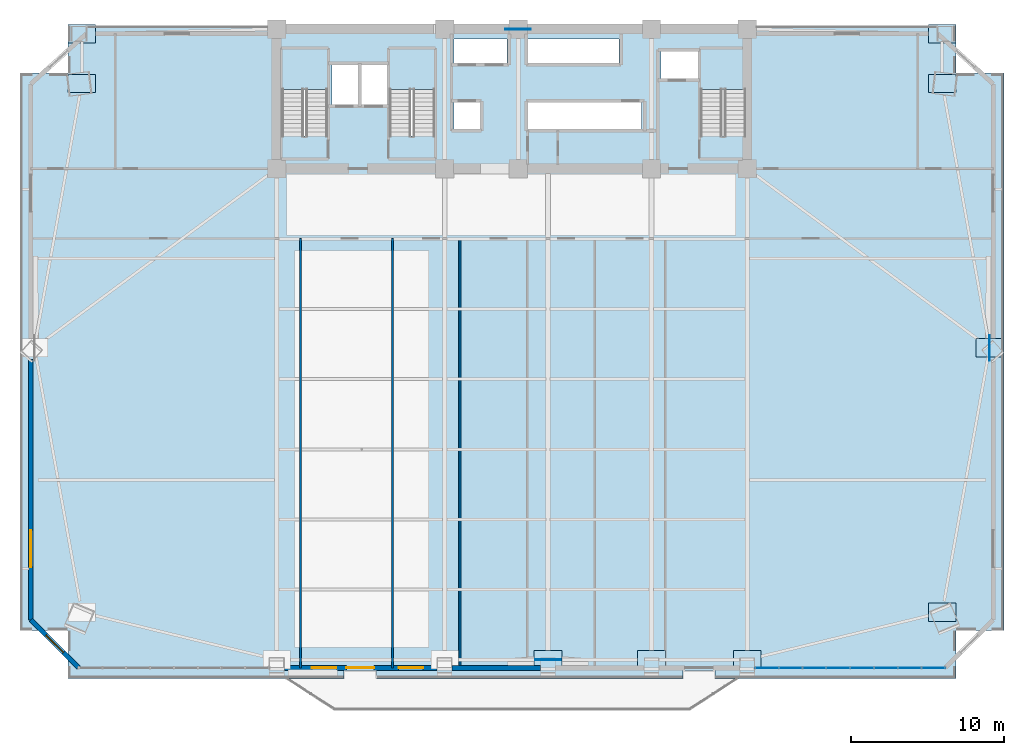
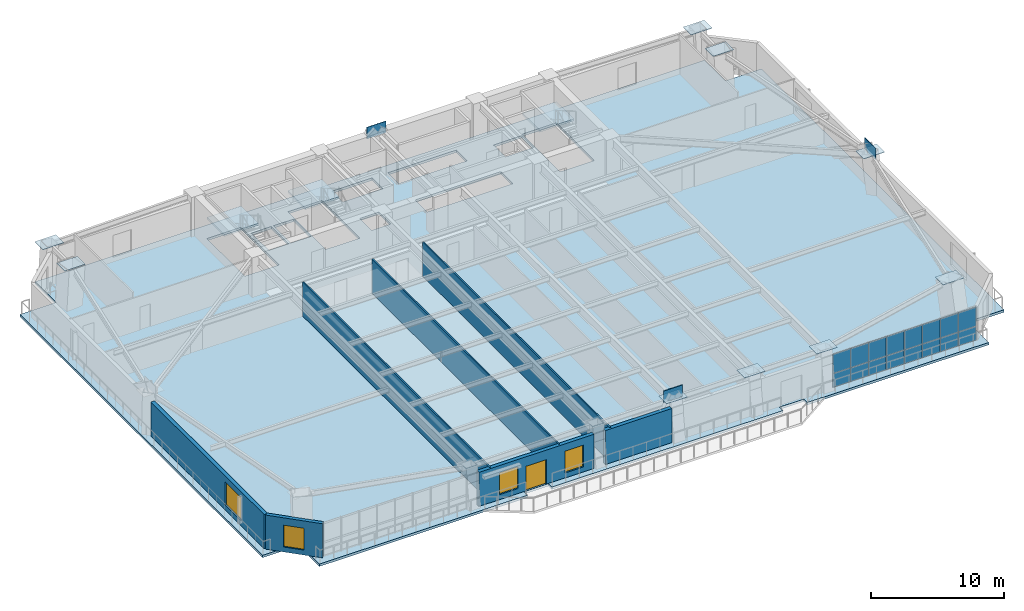
# One storey, part 9 of 18: 28 plates, 7 walls, 4 slabs, 4 windows, 1 door, 5 openings, 4 elements without a shape of their own.
"""IFC4 building model written with IfcOpenShell, lengths in metres."""

from ifc_helpers import new_model, si_unit, direction, frame, frame_2d, origin, origin_2d, place, context, subcontext, project, spatial, polyline, rectangle, outline, extrude, source, transform, mapped, material, layer, layer_set, type_object, element, fill, aggregate, save


model = new_model("IFC4")

# Units and contexts
model_context = context("Model", 3, precision=1e-05, world=origin(), true_north=direction((0.0, 1.0)))
body_context = subcontext(model_context, "Body", "Model", "MODEL_VIEW")
ifc_project = project(units=[si_unit("LENGTHUNIT", "METRE"), si_unit("AREAUNIT", "SQUARE_METRE"), si_unit("VOLUMEUNIT", "CUBIC_METRE"), si_unit("PLANEANGLEUNIT", "RADIAN"), si_unit("MASSUNIT", "GRAM", prefix="KILO")], contexts=[model_context])

# Site, building, storey
site_placement = place(None, origin())
site = spatial("IfcSite", under=ifc_project, at=site_placement, CompositionType="ELEMENT")
building_placement = place(site_placement, origin())
building = spatial("IfcBuilding", under=site, at=building_placement, Name="Giltprow Tower", CompositionType="ELEMENT")
storey_placement = place(building_placement, frame((0.0, 0.0, 68.89990234375)))
storey = spatial("IfcBuildingStorey", under=building, at=storey_placement, Name="L17", CompositionType="ELEMENT", Elevation=68.89990234375)

# Slab
ifc_material_1 = material(Name="Concrete C40", Category="concrete")
ifc_layer_1 = layer(ifc_material_1, 0.219970703125, Name="Concrete C40")
ifc_layer_set_1 = layer_set([ifc_layer_1], Name="Concrete C40")
slab_type_1 = type_object("IfcSlabType", Name="SLB-OFF-220", PredefinedType="FLOOR", material=ifc_layer_set_1)
slab_1_placement = place(storey_placement, frame((0.0, 0.0, -0.219970703125)))
element("IfcSlab", 1, at=slab_1_placement, inside=storey, type_object=slab_type_1, Name="L17 Structural Composite Floor Slab", PredefinedType="FLOOR", context=body_context, shape_type="SweptSolid", body=[
    extrude(outline(polyline([(6.22705078125, 4.181884765625), (6.22705078125, 7.303955078125), (3.10498046875, 7.303955078125), (3.10498046875, 43.677978515625), (6.22705078125, 43.677978515625), (6.22705078125, 46.800048828125), (64.174072265625, 46.800048828125), (64.174072265625, 43.677978515625), (67.2958984375, 43.677978515625), (67.2958984375, 7.303955078125), (64.174072265625, 7.303955078125), (64.174072265625, 4.181884765625), (48.449951171875, 4.181884765625), (48.449951171875, 4.701904296875), (46.35009765625, 4.701904296875), (46.35009765625, 4.181884765625), (26.35009765625, 4.181884765625), (26.35009765625, 4.701904296875), (24.25, 4.701904296875), (24.25, 4.181884765625), (6.22705078125, 4.181884765625)]), holes=[polyline([(33.10009765625, 41.800048828125), (31.419921875, 41.800048828125), (31.419921875, 40.0), (33.10009765625, 40.0), (33.10009765625, 41.800048828125)]), polyline([(23.159912109375, 39.570068359375), (23.159912109375, 45.25), (20.199951171875, 45.25), (20.199951171875, 39.570068359375), (23.159912109375, 39.570068359375)]), polyline([(30.159912109375, 45.25), (27.199951171875, 45.25), (27.199951171875, 39.570068359375), (30.159912109375, 39.570068359375), (30.159912109375, 45.25)]), polyline([(25.169921875, 41.60009765625), (25.169921875, 44.199951171875), (23.449951171875, 44.199951171875), (23.449951171875, 41.60009765625), (25.169921875, 41.60009765625)]), polyline([(27.10009765625, 41.60009765625), (27.10009765625, 44.199951171875), (25.35009765625, 44.199951171875), (25.35009765625, 41.60009765625), (27.10009765625, 41.60009765625)]), polyline([(43.659912109375, 40.0), (43.659912109375, 41.800048828125), (36.239990234375, 41.800048828125), (36.239990234375, 40.0), (43.659912109375, 40.0)]), polyline([(50.4599609375, 39.570068359375), (50.4599609375, 45.25), (47.5, 45.25), (47.5, 39.570068359375), (50.4599609375, 39.570068359375)]), polyline([(47.3798828125, 45.10009765625), (44.919921875, 45.10009765625), (44.919921875, 43.300048828125), (47.3798828125, 43.300048828125), (47.3798828125, 45.10009765625)]), polyline([(34.8798828125, 44.300048828125), (34.8798828125, 45.919921875), (31.419921875, 45.919921875), (31.419921875, 44.300048828125), (34.8798828125, 44.300048828125)]), polyline([(42.169921875, 44.300048828125), (42.169921875, 45.919921875), (36.239990234375, 45.919921875), (36.239990234375, 44.300048828125), (42.169921875, 44.300048828125)])]), origin(), (0.0, 0.0, 1.0), 0.219970703125),
])

# Stair, slab
stair_type_1 = type_object("IfcStairType", Name="STR-ST-1", PredefinedType="HALF_TURN_STAIR", material=ifc_material_1)
stair_1_placement = place(storey_placement, origin())
stair_1 = element("IfcStair", 2, at=stair_1_placement, inside=storey, type_object=stair_type_1, Name="L17 Core Exit Stair ST-1", PredefinedType="HALF_TURN_STAIR")
ifc_layer_2 = layer(ifc_material_1, 0.179931640625, Name="Concrete C40")
ifc_layer_set_2 = layer_set([ifc_layer_2], Name="Concrete C40")
slab_type_2 = type_object("IfcSlabType", Name="SLD-ST-1", PredefinedType="LANDING", material=ifc_layer_set_2)
slab_2_placement = place(storey_placement, frame((0.0, 0.0, 1.77001953125)))
slab_2 = element("IfcSlab", 3, at=slab_2_placement, type_object=slab_type_2, Name="ST-1 landing 1", PredefinedType="LANDING", context=body_context, shape_type="SweptSolid", body=[
    extrude(outline(polyline([(23.159912109375, 42.6298828125), (23.159912109375, 45.25), (20.199951171875, 45.25), (20.199951171875, 42.6298828125), (23.159912109375, 42.6298828125)])), origin(), (0.0, 0.0, 1.0), 0.18017578125),
])
aggregate(stair_1, [slab_2])

stair_type_2 = type_object("IfcStairType", Name="STR-ST-2", PredefinedType="HALF_TURN_STAIR", material=ifc_material_1)
stair_2_placement = place(storey_placement, origin())
stair_2 = element("IfcStair", 4, at=stair_2_placement, inside=storey, type_object=stair_type_2, Name="L17 Core Exit Stair ST-2", PredefinedType="HALF_TURN_STAIR")
ifc_layer_3 = layer(ifc_material_1, 0.18798828125, Name="Concrete C40")
ifc_layer_set_3 = layer_set([ifc_layer_3], Name="Concrete C40")
slab_type_3 = type_object("IfcSlabType", Name="SLD-ST-2", PredefinedType="LANDING", material=ifc_layer_set_3)
slab_3_placement = place(storey_placement, frame((0.0, 0.0, 1.76220703125)))
slab_3 = element("IfcSlab", 5, at=slab_3_placement, type_object=slab_type_3, Name="ST-2 landing 1", PredefinedType="LANDING", context=body_context, shape_type="SweptSolid", body=[
    extrude(outline(polyline([(30.159912109375, 42.6298828125), (30.159912109375, 45.25), (27.199951171875, 45.25), (27.199951171875, 42.6298828125), (30.159912109375, 42.6298828125)])), origin(), (0.0, 0.0, 1.0), 0.18798828125),
])
aggregate(stair_2, [slab_3])

stair_type_3 = type_object("IfcStairType", Name="STR-ST-3", PredefinedType="HALF_TURN_STAIR", material=ifc_material_1)
stair_3_placement = place(storey_placement, origin())
stair_3 = element("IfcStair", 6, at=stair_3_placement, inside=storey, type_object=stair_type_3, Name="L17 Core Exit Stair ST-3", PredefinedType="HALF_TURN_STAIR")
ifc_layer_4 = layer(ifc_material_1, 0.196044921875, Name="Concrete C40")
ifc_layer_set_4 = layer_set([ifc_layer_4], Name="Concrete C40")
slab_type_4 = type_object("IfcSlabType", Name="SLD-ST-3", PredefinedType="LANDING", material=ifc_layer_set_4)
slab_4_placement = place(storey_placement, frame((0.0, 0.0, 1.754150390625)))
slab_4 = element("IfcSlab", 7, at=slab_4_placement, type_object=slab_type_4, Name="ST-3 landing 1", PredefinedType="LANDING", context=body_context, shape_type="SweptSolid", body=[
    extrude(outline(polyline([(50.4599609375, 42.6298828125), (50.4599609375, 45.25), (47.5, 45.25), (47.5, 42.6298828125), (50.4599609375, 42.6298828125)])), origin(), (0.0, 0.0, 1.0), 0.196044921875),
])
aggregate(stair_3, [slab_4])

# Plates
ifc_material_2 = material(Name="Structural steel Q420GJC", Category="steel")
plate_type_1 = type_object("IfcPlateType", Name="PLT-NODE-CKN1", PredefinedType="USERDEFINED", material=ifc_material_2)
shared_shape_1 = source(origin(), body_context, "Body", "SweptSolid", [
    extrude(rectangle(XDim=1.800048828125, YDim=1.199951171875, at=origin_2d()), origin(), (0.0, 0.0, 1.0), 0.044921875),
])
for number, where, z_axis, x_axis, name in (
    (8, (63.264892578125, 8.5048828125, 3.59765625), (0.0, 0.0, 1.0), (1.0, 0.0, 0.0), "CKN1 Column Taper Splice Node L17-MC_SE"),
    (9, (7.135986328125, 43.00390625, 3.59765625), (0.0, 0.0, 1.0), (1.0, 0.0, 0.0), "CKN1 Column Taper Splice Node L17-MC_NW"),
    (10, (63.264892578125, 43.00390625, 3.59765625), (0.0, 0.0, 1.0), (1.0, 0.0, 0.0), "CKN1 Column Taper Splice Node L17-MC_NE"),
    (11, (37.550048828125, 5.408935546875, 3.59765625), (0.0, 0.0, 1.0), (1.0, 0.0, 0.0), "CKN1 Column Taper Splice Node L17-S_MID"),
    (12, (44.300048828125, 5.408935546875, 3.59765625), (0.0, 0.0, 1.0), (1.0, 0.0, 0.0), "CKN1 Column Taper Splice Node L17-S3"),
    (13, (50.550048828125, 5.408935546875, 3.59765625), (0.0, 0.0, 1.0), (1.0, 0.0, 0.0), "CKN1 Column Taper Splice Node L17-S4"),
    (14, (66.361083984375, 25.7548828125, 3.59765625), (0.0, 0.0, 1.0), (1.0, 0.0, 0.0), "CKN1 Column Taper Splice Node L17-E_MID"),
    (15, (7.135986328125, 46.25, 3.59765625), (0.0, 0.0, 1.0), (1.0, 0.0, 0.0), "CKN1 Column Taper Splice Node L17-N_W"),
    (16, (63.264892578125, 46.25, 3.59765625), (0.0, 0.0, 1.0), (1.0, 0.0, 0.0), "CKN1 Column Taper Splice Node L17-N_E"),
):
    element("IfcPlate", number, at=place(storey_placement, frame(where, z_axis=z_axis, x_axis=x_axis)), inside=storey, type_object=plate_type_1, Name=name, ObjectType="SPLICE", PredefinedType="USERDEFINED", context=body_context, shape_type="MappedRepresentation", body=[
        mapped(shared_shape_1, transform((0.0, 0.0, 0.0), x_axis=(1.0, 0.0, 0.0), y_axis=(0.0, 1.0, 0.0), z_axis=(0.0, 0.0, 1.0), scale=1.0)),
    ])
plate_type_2 = type_object("IfcPlateType", Name="PLT-NODE-MBN2", PredefinedType="USERDEFINED", material=ifc_material_2)
shared_shape_2 = source(origin(), body_context, "Body", "SweptSolid", [
    extrude(rectangle(XDim=1.64990234375, YDim=0.044921875, at=origin_2d()), origin(), (0.0, 0.0, 1.0), 1.050048828125),
])
for number, where, z_axis, x_axis, name in (
    (17, (37.550048828125, 5.408935546875, 3.375), (0.0, 0.0, 1.0), (1.0, 0.0, 0.0), "Mega-Brace Node L17-S-LB"),
    (18, (35.60009765625, 46.550048828125, 3.23486328125), (0.0, 0.0, 1.0), (1.0, 0.0, 0.0), "Mega-Brace Node L17-N-LB"),
    (19, (66.361083984375, 25.7548828125, 3.375), (0.0, 0.0, 1.0), (0.0, 1.0, 0.0), "Mega-Brace Node L17-E-RB"),
):
    element("IfcPlate", number, at=place(storey_placement, frame(where, z_axis=z_axis, x_axis=x_axis)), inside=storey, type_object=plate_type_2, Name=name, ObjectType="GUSSET", PredefinedType="USERDEFINED", context=body_context, shape_type="MappedRepresentation", body=[
        mapped(shared_shape_2, transform((0.0, 0.0, 0.0), x_axis=(1.0, 0.0, 0.0), y_axis=(0.0, 1.0, 0.0), z_axis=(0.0, 0.0, 1.0), scale=1.0)),
    ])

# Curtain wall, plates
ifc_material_3 = material(Name="Anodized bronze", Category="metal")
ifc_layer_5 = layer(ifc_material_3, 0.179931640625, Name="Anodized bronze")
ifc_layer_set_5 = layer_set([ifc_layer_5], Name="Anodized bronze")
curtain_wall_type = type_object("IfcCurtainWallType", Name="CW-OFF-RECESSED", PredefinedType="NOTDEFINED", material=ifc_layer_set_5)
curtain_wall_placement = place(storey_placement, origin())
curtain_wall = element("IfcCurtainWall", 20, at=curtain_wall_placement, inside=storey, type_object=curtain_wall_type, Name="L17 South Recessed Curtain Wall 6", PredefinedType="NOTDEFINED")
ifc_material_4 = material(Name="Insulated glass", Category="glass")
plate_type_3 = type_object("IfcPlateType", Name="CW-PANEL-IGU-28", PredefinedType="CURTAIN_PANEL", material=ifc_material_4)
shared_shape_3 = source(origin(), body_context, "Body", "SweptSolid", [
    extrude(rectangle(XDim=1.52294921875, YDim=0.028076171875, at=origin_2d()), origin(), (0.0, 0.0, 1.0), 1.241943359375),
])
plate_1_placement = place(storey_placement, frame((51.825927734375, 4.882080078125, 0.05419921875), z_axis=(0.0, 0.0, 1.0), x_axis=(1.0, 0.0, 0.0)))
plate_1 = element("IfcPlate", 21, at=plate_1_placement, type_object=plate_type_3, Name="L17 South Recessed Curtain Wall 6 Glazing Panel 1-1", PredefinedType="CURTAIN_PANEL", context=body_context, shape_type="MappedRepresentation", body=[
    mapped(shared_shape_3, transform((0.0, 0.0, 0.0), x_axis=(1.0, 0.0, 0.0), y_axis=(0.0, 1.0, 0.0), z_axis=(0.0, 0.0, 1.0), scale=1.0)),
])
plate_2_placement = place(storey_placement, frame((53.3798828125, 4.882080078125, 0.05419921875), z_axis=(0.0, 0.0, 1.0), x_axis=(1.0, 0.0, 0.0)))
plate_2 = element("IfcPlate", 22, at=plate_2_placement, type_object=plate_type_3, Name="L17 South Recessed Curtain Wall 6 Glazing Panel 2-1", PredefinedType="CURTAIN_PANEL", context=body_context, shape_type="MappedRepresentation", body=[
    mapped(shared_shape_3, transform((0.0, 0.0, 0.0), x_axis=(1.0, 0.0, 0.0), y_axis=(0.0, 1.0, 0.0), z_axis=(0.0, 0.0, 1.0), scale=1.0)),
])
plate_3_placement = place(storey_placement, frame((54.931884765625, 4.882080078125, 0.05419921875), z_axis=(0.0, 0.0, 1.0), x_axis=(1.0, 0.0, 0.0)))
plate_3 = element("IfcPlate", 23, at=plate_3_placement, type_object=plate_type_3, Name="L17 South Recessed Curtain Wall 6 Glazing Panel 3-1", PredefinedType="CURTAIN_PANEL", context=body_context, shape_type="MappedRepresentation", body=[
    mapped(shared_shape_3, transform((0.0, 0.0, 0.0), x_axis=(1.0, 0.0, 0.0), y_axis=(0.0, 1.0, 0.0), z_axis=(0.0, 0.0, 1.0), scale=1.0)),
])
plate_4_placement = place(storey_placement, frame((56.485107421875, 4.882080078125, 0.05419921875), z_axis=(0.0, 0.0, 1.0), x_axis=(1.0, 0.0, 0.0)))
plate_4 = element("IfcPlate", 24, at=plate_4_placement, type_object=plate_type_3, Name="L17 South Recessed Curtain Wall 6 Glazing Panel 4-1", PredefinedType="CURTAIN_PANEL", context=body_context, shape_type="MappedRepresentation", body=[
    mapped(shared_shape_3, transform((0.0, 0.0, 0.0), x_axis=(1.0, 0.0, 0.0), y_axis=(0.0, 1.0, 0.0), z_axis=(0.0, 0.0, 1.0), scale=1.0)),
])
plate_5_placement = place(storey_placement, frame((58.0380859375, 4.882080078125, 0.05419921875), z_axis=(0.0, 0.0, 1.0), x_axis=(1.0, 0.0, 0.0)))
plate_5 = element("IfcPlate", 25, at=plate_5_placement, type_object=plate_type_3, Name="L17 South Recessed Curtain Wall 6 Glazing Panel 5-1", PredefinedType="CURTAIN_PANEL", context=body_context, shape_type="MappedRepresentation", body=[
    mapped(shared_shape_3, transform((0.0, 0.0, 0.0), x_axis=(1.0, 0.0, 0.0), y_axis=(0.0, 1.0, 0.0), z_axis=(0.0, 0.0, 1.0), scale=1.0)),
])
plate_6_placement = place(storey_placement, frame((59.591064453125, 4.882080078125, 0.05419921875), z_axis=(0.0, 0.0, 1.0), x_axis=(1.0, 0.0, 0.0)))
plate_6 = element("IfcPlate", 26, at=plate_6_placement, type_object=plate_type_3, Name="L17 South Recessed Curtain Wall 6 Glazing Panel 6-1", PredefinedType="CURTAIN_PANEL", context=body_context, shape_type="MappedRepresentation", body=[
    mapped(shared_shape_3, transform((0.0, 0.0, 0.0), x_axis=(1.0, 0.0, 0.0), y_axis=(0.0, 1.0, 0.0), z_axis=(0.0, 0.0, 1.0), scale=1.0)),
])
plate_7_placement = place(storey_placement, frame((61.14404296875, 4.882080078125, 0.05419921875), z_axis=(0.0, 0.0, 1.0), x_axis=(1.0, 0.0, 0.0)))
plate_7 = element("IfcPlate", 27, at=plate_7_placement, type_object=plate_type_3, Name="L17 South Recessed Curtain Wall 6 Glazing Panel 7-1", PredefinedType="CURTAIN_PANEL", context=body_context, shape_type="MappedRepresentation", body=[
    mapped(shared_shape_3, transform((0.0, 0.0, 0.0), x_axis=(1.0, 0.0, 0.0), y_axis=(0.0, 1.0, 0.0), z_axis=(0.0, 0.0, 1.0), scale=1.0)),
])
plate_8_placement = place(storey_placement, frame((62.697021484375, 4.882080078125, 0.05419921875), z_axis=(0.0, 0.0, 1.0), x_axis=(1.0, 0.0, 0.0)))
plate_8 = element("IfcPlate", 28, at=plate_8_placement, type_object=plate_type_3, Name="L17 South Recessed Curtain Wall 6 Glazing Panel 8-1", PredefinedType="CURTAIN_PANEL", context=body_context, shape_type="MappedRepresentation", body=[
    mapped(shared_shape_3, transform((0.0, 0.0, 0.0), x_axis=(1.0, 0.0, 0.0), y_axis=(0.0, 1.0, 0.0), z_axis=(0.0, 0.0, 1.0), scale=1.0)),
])
shared_shape_4 = source(origin(), body_context, "Body", "SweptSolid", [
    extrude(rectangle(XDim=1.52294921875, YDim=0.028076171875, at=origin_2d()), origin(), (0.0, 0.0, 1.0), 1.741943359375),
])
plate_9_placement = place(storey_placement, frame((51.825927734375, 4.882080078125, 1.32421875), z_axis=(0.0, 0.0, 1.0), x_axis=(1.0, 0.0, 0.0)))
plate_9 = element("IfcPlate", 29, at=plate_9_placement, type_object=plate_type_3, Name="L17 South Recessed Curtain Wall 6 Glazing Panel 1-2", PredefinedType="CURTAIN_PANEL", context=body_context, shape_type="MappedRepresentation", body=[
    mapped(shared_shape_4, transform((0.0, 0.0, 0.0), x_axis=(1.0, 0.0, 0.0), y_axis=(0.0, 1.0, 0.0), z_axis=(0.0, 0.0, 1.0), scale=1.0)),
])
plate_10_placement = place(storey_placement, frame((53.3798828125, 4.882080078125, 1.32421875), z_axis=(0.0, 0.0, 1.0), x_axis=(1.0, 0.0, 0.0)))
plate_10 = element("IfcPlate", 30, at=plate_10_placement, type_object=plate_type_3, Name="L17 South Recessed Curtain Wall 6 Glazing Panel 2-2", PredefinedType="CURTAIN_PANEL", context=body_context, shape_type="MappedRepresentation", body=[
    mapped(shared_shape_4, transform((0.0, 0.0, 0.0), x_axis=(1.0, 0.0, 0.0), y_axis=(0.0, 1.0, 0.0), z_axis=(0.0, 0.0, 1.0), scale=1.0)),
])
plate_11_placement = place(storey_placement, frame((54.931884765625, 4.882080078125, 1.32421875), z_axis=(0.0, 0.0, 1.0), x_axis=(1.0, 0.0, 0.0)))
plate_11 = element("IfcPlate", 31, at=plate_11_placement, type_object=plate_type_3, Name="L17 South Recessed Curtain Wall 6 Glazing Panel 3-2", PredefinedType="CURTAIN_PANEL", context=body_context, shape_type="MappedRepresentation", body=[
    mapped(shared_shape_4, transform((0.0, 0.0, 0.0), x_axis=(1.0, 0.0, 0.0), y_axis=(0.0, 1.0, 0.0), z_axis=(0.0, 0.0, 1.0), scale=1.0)),
])
plate_12_placement = place(storey_placement, frame((56.485107421875, 4.882080078125, 1.32421875), z_axis=(0.0, 0.0, 1.0), x_axis=(1.0, 0.0, 0.0)))
plate_12 = element("IfcPlate", 32, at=plate_12_placement, type_object=plate_type_3, Name="L17 South Recessed Curtain Wall 6 Glazing Panel 4-2", PredefinedType="CURTAIN_PANEL", context=body_context, shape_type="MappedRepresentation", body=[
    mapped(shared_shape_4, transform((0.0, 0.0, 0.0), x_axis=(1.0, 0.0, 0.0), y_axis=(0.0, 1.0, 0.0), z_axis=(0.0, 0.0, 1.0), scale=1.0)),
])
plate_13_placement = place(storey_placement, frame((58.0380859375, 4.882080078125, 1.32421875), z_axis=(0.0, 0.0, 1.0), x_axis=(1.0, 0.0, 0.0)))
plate_13 = element("IfcPlate", 33, at=plate_13_placement, type_object=plate_type_3, Name="L17 South Recessed Curtain Wall 6 Glazing Panel 5-2", PredefinedType="CURTAIN_PANEL", context=body_context, shape_type="MappedRepresentation", body=[
    mapped(shared_shape_4, transform((0.0, 0.0, 0.0), x_axis=(1.0, 0.0, 0.0), y_axis=(0.0, 1.0, 0.0), z_axis=(0.0, 0.0, 1.0), scale=1.0)),
])
plate_14_placement = place(storey_placement, frame((59.591064453125, 4.882080078125, 1.32421875), z_axis=(0.0, 0.0, 1.0), x_axis=(1.0, 0.0, 0.0)))
plate_14 = element("IfcPlate", 34, at=plate_14_placement, type_object=plate_type_3, Name="L17 South Recessed Curtain Wall 6 Glazing Panel 6-2", PredefinedType="CURTAIN_PANEL", context=body_context, shape_type="MappedRepresentation", body=[
    mapped(shared_shape_4, transform((0.0, 0.0, 0.0), x_axis=(1.0, 0.0, 0.0), y_axis=(0.0, 1.0, 0.0), z_axis=(0.0, 0.0, 1.0), scale=1.0)),
])
plate_15_placement = place(storey_placement, frame((61.14404296875, 4.882080078125, 1.32421875), z_axis=(0.0, 0.0, 1.0), x_axis=(1.0, 0.0, 0.0)))
plate_15 = element("IfcPlate", 35, at=plate_15_placement, type_object=plate_type_3, Name="L17 South Recessed Curtain Wall 6 Glazing Panel 7-2", PredefinedType="CURTAIN_PANEL", context=body_context, shape_type="MappedRepresentation", body=[
    mapped(shared_shape_4, transform((0.0, 0.0, 0.0), x_axis=(1.0, 0.0, 0.0), y_axis=(0.0, 1.0, 0.0), z_axis=(0.0, 0.0, 1.0), scale=1.0)),
])
plate_16_placement = place(storey_placement, frame((62.697021484375, 4.882080078125, 1.32421875), z_axis=(0.0, 0.0, 1.0), x_axis=(1.0, 0.0, 0.0)))
plate_16 = element("IfcPlate", 36, at=plate_16_placement, type_object=plate_type_3, Name="L17 South Recessed Curtain Wall 6 Glazing Panel 8-2", PredefinedType="CURTAIN_PANEL", context=body_context, shape_type="MappedRepresentation", body=[
    mapped(shared_shape_4, transform((0.0, 0.0, 0.0), x_axis=(1.0, 0.0, 0.0), y_axis=(0.0, 1.0, 0.0), z_axis=(0.0, 0.0, 1.0), scale=1.0)),
])
aggregate(curtain_wall, [plate_1, plate_9, plate_2, plate_10, plate_3, plate_11, plate_4, plate_12, plate_5, plate_13, plate_6, plate_14, plate_7, plate_15, plate_8, plate_16])

# Wall, opening, window
ifc_material_5 = material(Name="Precast concrete C40", Category="concrete")
ifc_layer_6 = layer(ifc_material_5, 0.300048828125, Name="Precast concrete C40")
ifc_layer_set_6 = layer_set([ifc_layer_6], Name="Precast concrete C40")
wall_type_1 = type_object("IfcWallType", Name="EW-NOTCH-CHAMFER-300", PredefinedType="SOLIDWALL", material=ifc_layer_set_6)
wall_1_placement = place(storey_placement, frame((3.804931640625, 8.00390625, 0.0), z_axis=(0.0, 0.0, 1.0), x_axis=(0.707134429005, -0.707079132287, 0.0)))
wall_1 = element("IfcWall", 37, at=wall_1_placement, inside=storey, type_object=wall_type_1, Name="L17 Corner Notch Wall SW", PredefinedType="SOLIDWALL", context=body_context, shape_type="SweptSolid", body=[
    extrude(rectangle(XDim=4.4150390625, YDim=0.300048828125, at=frame_2d((2.20751953125, 0.0))), origin(), (0.0, 0.0, 1.0), 3.1201171875),
])
opening_1_placement = place(wall_1_placement, frame((1.407958984375, 0.0, 0.449951171875)))
opening_1 = element("IfcOpeningElement", 38, at=opening_1_placement, cuts=wall_1, Name="Opening WN17", PredefinedType="OPENING", context=body_context, shape_type="SweptSolid", body=[
    extrude(rectangle(XDim=1.60009765625, YDim=2.0, at=frame_2d((0.800048828125, 1.0))), frame((0.0, 0.159912109375, 0.0), z_axis=(0.0, -1.0, 0.0), x_axis=(1.0, 0.0, 0.0)), (0.0, 0.0, 1.0), 0.320068359375),
])
window_type_1 = type_object("IfcWindowType", Name="WN-COR-1600x2000", PartitioningType="SINGLE_PANEL", PredefinedType="WINDOW", material=ifc_material_4)
shared_shape_5 = source(origin(), body_context, "Body", "SweptSolid", [
    extrude(rectangle(XDim=1.60009765625, YDim=2.0, at=frame_2d((0.800048828125, 1.0))), frame((0.0, 0.030029296875, 0.0), z_axis=(0.0, -1.0, 0.0), x_axis=(1.0, 0.0, 0.0)), (0.0, 0.0, 1.0), 0.06005859375),
])
window_1_placement = place(opening_1_placement, origin())
window_1 = element("IfcWindow", 39, at=window_1_placement, inside=storey, type_object=window_type_1, Name="L17 Corner Notch Window SW", OverallHeight=2.0, OverallWidth=1.60009765625, PartitioningType="SINGLE_PANEL", PredefinedType="WINDOW", context=body_context, shape_type="MappedRepresentation", body=[
    mapped(shared_shape_5, transform((0.0, 0.0, 0.0), x_axis=(1.0, 0.0, 0.0), y_axis=(0.0, 1.0, 0.0), z_axis=(0.0, 0.0, 1.0), scale=1.0)),
])
fill(opening_1, window_1)

# Wall, openings, windows, door
ifc_layer_7 = layer(ifc_material_5, 0.320068359375, Name="Precast concrete C40")
ifc_layer_set_7 = layer_set([ifc_layer_7], Name="Precast concrete C40")
wall_type_2 = type_object("IfcWallType", Name="EW-TOW-STONE-320", PredefinedType="SOLIDWALL", material=ifc_layer_set_7)
wall_2_placement = place(storey_placement, frame((20.35009765625, 4.882080078125, 0.0), z_axis=(0.0, 0.0, 1.0), x_axis=(1.0, 0.0, 0.0)))
wall_2 = element("IfcWall", 40, at=wall_2_placement, inside=storey, type_object=wall_type_2, Name="L17 South Expressed Frame Wall 2", PredefinedType="SOLIDWALL", context=body_context, shape_type="SweptSolid", body=[
    extrude(rectangle(XDim=9.949951171875, YDim=0.320068359375, at=frame_2d((4.97509765625, 0.0))), origin(), (0.0, 0.0, 1.0), 3.1201171875),
])
opening_2_placement = place(wall_2_placement, frame((4.050048828125, 0.0, 0.0)))
opening_2 = element("IfcOpeningElement", 41, at=opening_2_placement, cuts=wall_2, Name="Opening ED25", PredefinedType="OPENING", context=body_context, shape_type="SweptSolid", body=[
    extrude(rectangle(XDim=1.800048828125, YDim=2.25, at=frame_2d((0.89990234375, 1.125))), frame((0.0, 0.169921875, 0.0), z_axis=(0.0, -1.0, 0.0), x_axis=(1.0, 0.0, 0.0)), (0.0, 0.0, 1.0), 0.340087890625),
])
opening_3_placement = place(wall_2_placement, frame((1.794921875, 0.0, 0.449951171875)))
opening_3 = element("IfcOpeningElement", 42, at=opening_3_placement, cuts=wall_2, Name="Opening WN17", PredefinedType="OPENING", context=body_context, shape_type="SweptSolid", body=[
    extrude(rectangle(XDim=1.60009765625, YDim=2.0, at=frame_2d((0.800048828125, 1.0))), frame((0.0, 0.169921875, 0.0), z_axis=(0.0, -1.0, 0.0), x_axis=(1.0, 0.0, 0.0)), (0.0, 0.0, 1.0), 0.340087890625),
])
opening_4_placement = place(wall_2_placement, frame((7.449951171875, 0.0, 0.449951171875)))
opening_4 = element("IfcOpeningElement", 43, at=opening_4_placement, cuts=wall_2, Name="Opening WN17", PredefinedType="OPENING", context=body_context, shape_type="SweptSolid", body=[
    extrude(rectangle(XDim=1.60009765625, YDim=2.0, at=frame_2d((0.800048828125, 1.0))), frame((0.0, 0.169921875, 0.0), z_axis=(0.0, -1.0, 0.0), x_axis=(1.0, 0.0, 0.0)), (0.0, 0.0, 1.0), 0.340087890625),
])
window_2_placement = place(opening_3_placement, origin())
window_2 = element("IfcWindow", 44, at=window_2_placement, inside=storey, type_object=window_type_1, Name="L17 South Window 2A", OverallHeight=2.0, OverallWidth=1.60009765625, PartitioningType="SINGLE_PANEL", PredefinedType="WINDOW", context=body_context, shape_type="MappedRepresentation", body=[
    mapped(shared_shape_5, transform((0.0, 0.0, 0.0), x_axis=(1.0, 0.0, 0.0), y_axis=(0.0, 1.0, 0.0), z_axis=(0.0, 0.0, 1.0), scale=1.0)),
])
fill(opening_3, window_2)
window_3_placement = place(opening_4_placement, origin())
window_3 = element("IfcWindow", 45, at=window_3_placement, inside=storey, type_object=window_type_1, Name="L17 South Window 2B", OverallHeight=2.0, OverallWidth=1.60009765625, PartitioningType="SINGLE_PANEL", PredefinedType="WINDOW", context=body_context, shape_type="MappedRepresentation", body=[
    mapped(shared_shape_5, transform((0.0, 0.0, 0.0), x_axis=(1.0, 0.0, 0.0), y_axis=(0.0, 1.0, 0.0), z_axis=(0.0, 0.0, 1.0), scale=1.0)),
])
fill(opening_4, window_3)
ifc_material_6 = material(Name="Anodized bronze and glass", Category="glass")
door_type = type_object("IfcDoorType", Name="DR-BALC-SLIDE-1800", OperationType="SLIDING_TO_LEFT", PredefinedType="DOOR", material=ifc_material_6)
shared_shape_6 = source(origin(), body_context, "Body", "SweptSolid", [
    extrude(rectangle(XDim=1.800048828125, YDim=2.25, at=frame_2d((0.89990234375, 1.125))), frame((0.0, 0.02490234375, 0.0), z_axis=(0.0, -1.0, 0.0), x_axis=(1.0, 0.0, 0.0)), (0.0, 0.0, 1.0), 0.050048828125),
])
door_placement = place(opening_2_placement, origin())
door = element("IfcDoor", 46, at=door_placement, inside=storey, type_object=door_type, Name="L17 Waterfront Balcony Sliding Door 1", OperationType="SLIDING_TO_LEFT", OverallHeight=2.25, OverallWidth=1.800048828125, PredefinedType="DOOR", context=body_context, shape_type="MappedRepresentation", body=[
    mapped(shared_shape_6, transform((0.0, 0.0, 0.0), x_axis=(1.0, 0.0, 0.0), y_axis=(0.0, 1.0, 0.0), z_axis=(0.0, 0.0, 1.0), scale=1.0)),
])
fill(opening_2, door)

# Wall
wall_3_placement = place(storey_placement, frame((31.300048828125, 4.882080078125, 0.0), z_axis=(0.0, 0.0, 1.0), x_axis=(1.0, 0.0, 0.0)))
element("IfcWall", 47, at=wall_3_placement, inside=storey, type_object=wall_type_2, Name="L17 South Expressed Frame Wall 3", PredefinedType="SOLIDWALL", context=body_context, shape_type="SweptSolid", body=[
    extrude(rectangle(XDim=5.75, YDim=0.320068359375, at=frame_2d((2.875, 0.0))), origin(), (0.0, 0.0, 1.0), 3.1201171875),
])

# Wall, opening, window
wall_4_placement = place(storey_placement, frame((3.804931640625, 8.00390625, 0.0), z_axis=(0.0, 0.0, 1.0), x_axis=(0.0, 1.0, 0.0)))
wall_4 = element("IfcWall", 48, at=wall_4_placement, inside=storey, type_object=wall_type_2, Name="L17 W Wing Masonry Wall 1", PredefinedType="SOLIDWALL", context=body_context, shape_type="SweptSolid", body=[
    extrude(rectangle(XDim=16.987060546875, YDim=0.320068359375, at=frame_2d((8.49365234375, 0.0))), origin(), (0.0, 0.0, 1.0), 3.1201171875),
])
opening_5_placement = place(wall_4_placement, frame((3.45703125, 0.0, 0.449951171875)))
opening_5 = element("IfcOpeningElement", 49, at=opening_5_placement, cuts=wall_4, Name="Opening WN29", PredefinedType="OPENING", context=body_context, shape_type="SweptSolid", body=[
    extrude(rectangle(XDim=2.39990234375, YDim=2.10009765625, at=frame_2d((1.199951171875, 1.050048828125))), frame((0.0, 0.169921875, 0.0), z_axis=(0.0, -1.0, 0.0), x_axis=(1.0, 0.0, 0.0)), (0.0, 0.0, 1.0), 0.340087890625),
])
window_type_2 = type_object("IfcWindowType", Name="WN-OFF-2400x2100", PartitioningType="DOUBLE_PANEL_VERTICAL", PredefinedType="WINDOW", material=ifc_material_4)
shared_shape_7 = source(origin(), body_context, "Body", "SweptSolid", [
    extrude(rectangle(XDim=2.39990234375, YDim=2.10009765625, at=frame_2d((1.199951171875, 1.050048828125))), frame((0.0, 0.030029296875, 0.0), z_axis=(0.0, -1.0, 0.0), x_axis=(1.0, 0.0, 0.0)), (0.0, 0.0, 1.0), 0.06005859375),
])
window_4_placement = place(opening_5_placement, origin())
window_4 = element("IfcWindow", 50, at=window_4_placement, inside=storey, type_object=window_type_2, Name="L17 W Wing Window 1-1A", OverallHeight=2.10009765625, OverallWidth=2.39990234375, PartitioningType="SINGLE_PANEL", PredefinedType="WINDOW", context=body_context, shape_type="MappedRepresentation", body=[
    mapped(shared_shape_7, transform((0.0, 0.0, 0.0), x_axis=(1.0, 0.0, 0.0), y_axis=(0.0, 1.0, 0.0), z_axis=(0.0, 0.0, 1.0), scale=1.0)),
])
fill(opening_5, window_4)

# Walls
ifc_material_7 = material(Name="Gypsum stud partition", Category="gypsum")
ifc_layer_8 = layer(ifc_material_7, 0.1201171875, Name="Gypsum stud partition")
ifc_layer_set_8 = layer_set([ifc_layer_8], Name="Gypsum stud partition")
wall_type_3 = type_object("IfcWallType", Name="IW-ROOM-120", PredefinedType="PARTITIONING", material=ifc_layer_set_8)
for number, where, z_axis, x_axis, name in (
    (51, (21.39990234375, 4.882080078125, 0.0), (0.0, 0.0, 1.0), (0.0, 1.0, 0.0), "L17 Office Partition 1"),
    (52, (27.39990234375, 4.882080078125, 0.0), (0.0, 0.0, 1.0), (0.0, 1.0, 0.0), "L17 Office Partition 2"),
    (53, (31.800048828125, 4.882080078125, 0.0), (0.0, 0.0, 1.0), (0.0, 1.0, 0.0), "L17 Office Partition 3"),
):
    element("IfcWall", number, at=place(storey_placement, frame(where, z_axis=z_axis, x_axis=x_axis)), inside=storey, type_object=wall_type_3, Name=name, PredefinedType="PARTITIONING", context=body_context, shape_type="SweptSolid", body=[
        extrude(rectangle(XDim=28.017822265625, YDim=0.1201171875, at=frame_2d((14.0087890625, 0.0))), origin(), (0.0, 0.0, 1.0), 3.125),
    ])

save(model, "model.ifc")
